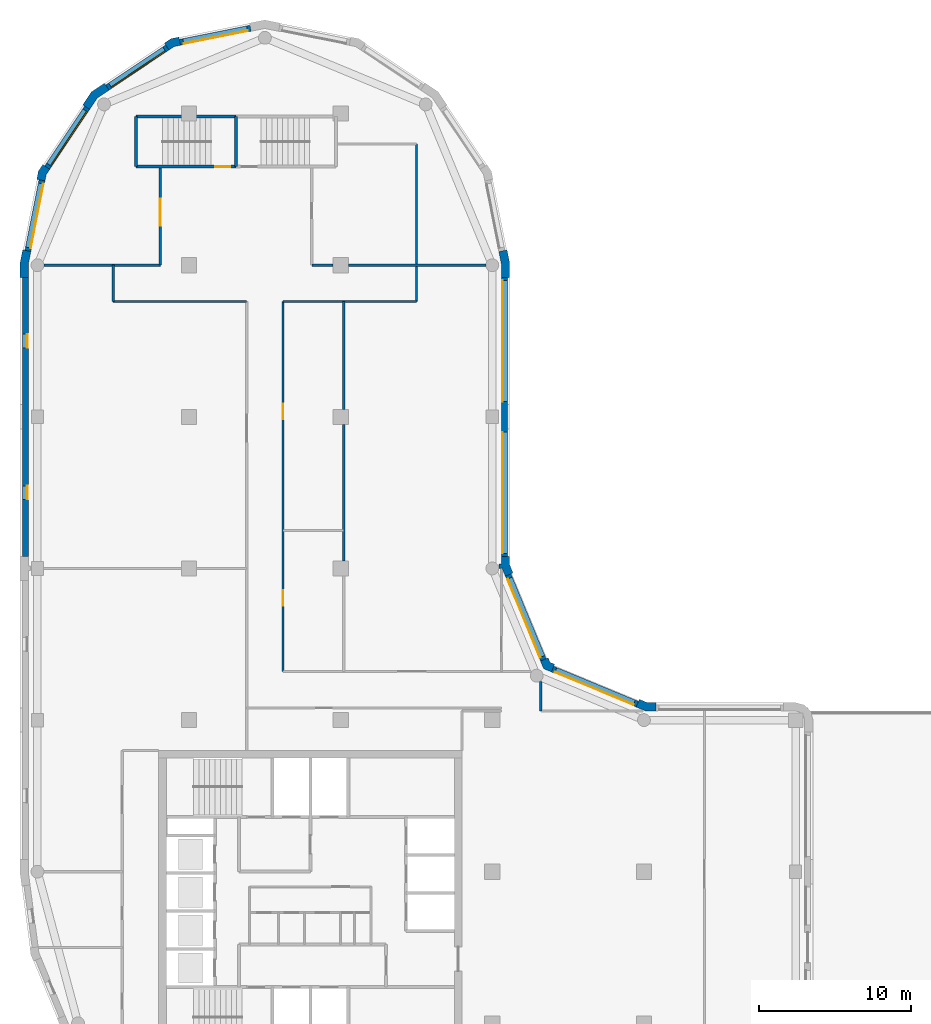
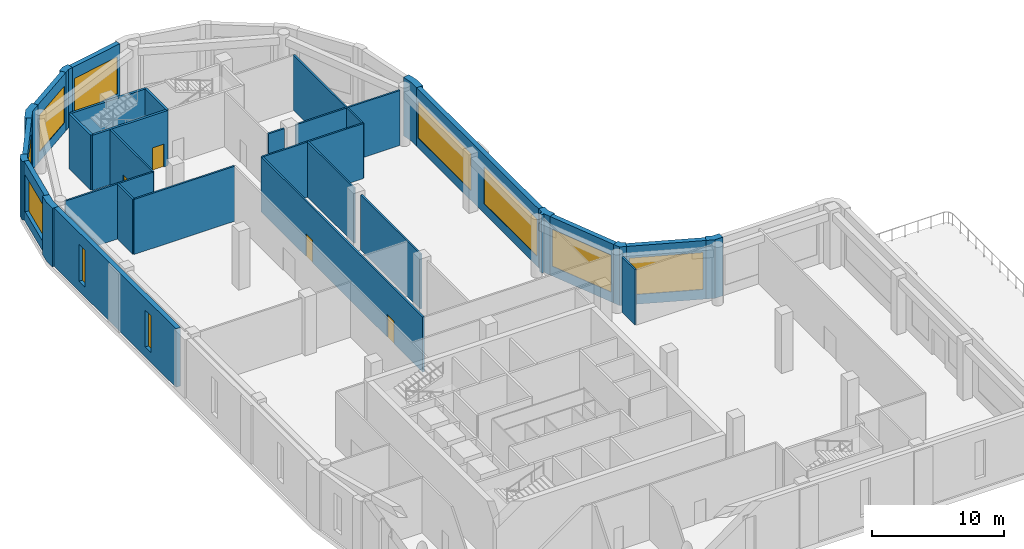
# One storey, part 5 of 9: 32 walls, 10 windows, 4 doors, 14 openings.
"""IFC4 building model written with IfcOpenShell, lengths in metres."""

from ifc_helpers import new_model, si_unit, direction, frame, frame_2d, origin, place, context, subcontext, project, spatial, polyline, rectangle, outline, extrude, material, layer, layer_set, type_object, element, fill, save


model = new_model("IFC4")

# Units and contexts
model_context = context("Model", 3, precision=1e-05, world=origin(), true_north=direction((0.0, 1.0)))
body_context = subcontext(model_context, "Body", "Model", "MODEL_VIEW")
ifc_project = project(units=[si_unit("LENGTHUNIT", "METRE"), si_unit("AREAUNIT", "SQUARE_METRE"), si_unit("VOLUMEUNIT", "CUBIC_METRE"), si_unit("PLANEANGLEUNIT", "RADIAN"), si_unit("MASSUNIT", "GRAM", prefix="KILO")], contexts=[model_context])

# Site, building, storey
site_placement = place(None, origin())
site = spatial("IfcSite", under=ifc_project, at=site_placement, CompositionType="ELEMENT")
building_placement = place(site_placement, origin())
building = spatial("IfcBuilding", under=site, at=building_placement, Name="Qaws Garden Tower", CompositionType="ELEMENT")
storey_placement = place(building_placement, frame((0.0, 0.0, 246.0)))
storey = spatial("IfcBuildingStorey", under=building, at=storey_placement, Name="L59", CompositionType="ELEMENT", Elevation=246.0)

# Wall, opening, window
ifc_material_1 = material(Name="Clay facing brick masonry", Category="masonry")
ifc_layer_1 = layer(ifc_material_1, 0.39990234375)
ifc_layer_set_1 = layer_set([ifc_layer_1], Name="Clay facing brick masonry")
wall_type_1 = type_object("IfcWallType", Name="Brick infill wall 400", PredefinedType="SOLIDWALL", material=ifc_layer_set_1)
wall_1_placement = place(storey_placement, frame((39.56689453125, 31.04541015625, 0.0), z_axis=(0.0, 0.0, 1.0), x_axis=(-0.923891000409, 0.382655745237, 0.0)))
wall_1 = element("IfcWall", 1, at=wall_1_placement, inside=storey, type_object=wall_type_1, Name="E-L59-infill-07", PredefinedType="SOLIDWALL", context=body_context, shape_type="SweptSolid", body=[
    extrude(rectangle(XDim=6.053466796875, YDim=0.39990234375, at=frame_2d((3.02685546875, 0.0))), origin(), (0.0, 0.0, 1.0), 5.39990234375),
])
opening_1_placement = place(wall_1_placement, frame((0.226806640625, 0.0, 0.89990234375)))
opening_1 = element("IfcOpeningElement", 2, at=opening_1_placement, cuts=wall_1, Name="Opening W05", PredefinedType="OPENING", context=body_context, shape_type="SweptSolid", body=[
    extrude(rectangle(XDim=5.60009765625, YDim=3.39990234375, at=frame_2d((2.800048828125, 1.699951171875))), frame((0.0, 0.2099609375, 0.0), z_axis=(0.0, -1.0, 0.0), x_axis=(1.0, 0.0, 0.0)), (0.0, 0.0, 1.0), 0.419921875),
])
ifc_material_2 = material(Name="Aluminium framed window, clear glazing", Category="aluminium")
window_type_1 = type_object("IfcWindowType", Name="Ribbon window 5600 x 3400", PartitioningType="DOUBLE_PANEL_VERTICAL", PredefinedType="WINDOW", material=ifc_material_2)
window_1_placement = place(opening_1_placement, origin())
window_1 = element("IfcWindow", 3, at=window_1_placement, inside=storey, type_object=window_type_1, Name="E-L59-window-07-0", OverallHeight=3.39990234375, OverallWidth=5.60009765625, PartitioningType="SINGLE_PANEL", PredefinedType="WINDOW", context=body_context, shape_type="SweptSolid", body=[
    extrude(rectangle(XDim=5.60009765625, YDim=3.39990234375, at=frame_2d((2.800048828125, 1.699951171875))), frame((0.0, 0.159912109375, 0.0), z_axis=(0.0, -1.0, 0.0), x_axis=(1.0, 0.0, 0.0)), (0.0, 0.0, 1.0), 0.06005859375),
])
fill(opening_1, window_1)

wall_2_placement = place(storey_placement, frame((33.36181640625, 33.97412109375, 0.0), z_axis=(0.0, 0.0, 1.0), x_axis=(-0.382655745237, 0.923891000409, 0.0)))
wall_2 = element("IfcWall", 4, at=wall_2_placement, inside=storey, type_object=wall_type_1, Name="E-L59-infill-08", PredefinedType="SOLIDWALL", context=body_context, shape_type="SweptSolid", body=[
    extrude(rectangle(XDim=6.053466796875, YDim=0.39990234375, at=frame_2d((3.02685546875, 0.0))), origin(), (0.0, 0.0, 1.0), 5.39990234375),
])
opening_2_placement = place(wall_2_placement, frame((0.226806640625, 0.0, 0.89990234375)))
opening_2 = element("IfcOpeningElement", 5, at=opening_2_placement, cuts=wall_2, Name="Opening W05", PredefinedType="OPENING", context=body_context, shape_type="SweptSolid", body=[
    extrude(rectangle(XDim=5.60009765625, YDim=3.39990234375, at=frame_2d((2.800048828125, 1.699951171875))), frame((0.0, 0.2099609375, 0.0), z_axis=(0.0, -1.0, 0.0), x_axis=(1.0, 0.0, 0.0)), (0.0, 0.0, 1.0), 0.419921875),
])
window_2_placement = place(opening_2_placement, origin())
window_2 = element("IfcWindow", 6, at=window_2_placement, inside=storey, type_object=window_type_1, Name="E-L59-window-08-0", OverallHeight=3.39990234375, OverallWidth=5.60009765625, PartitioningType="SINGLE_PANEL", PredefinedType="WINDOW", context=body_context, shape_type="SweptSolid", body=[
    extrude(rectangle(XDim=5.60009765625, YDim=3.39990234375, at=frame_2d((2.800048828125, 1.699951171875))), frame((0.0, 0.159912109375, 0.0), z_axis=(0.0, -1.0, 0.0), x_axis=(1.0, 0.0, 0.0)), (0.0, 0.0, 1.0), 0.06005859375),
])
fill(opening_2, window_2)

# Wall, openings, windows
wall_3_placement = place(storey_placement, frame((30.800048828125, 40.800048828125, 0.0), z_axis=(0.0, 0.0, 1.0), x_axis=(0.0, 1.0, 0.0)))
wall_3 = element("IfcWall", 7, at=wall_3_placement, inside=storey, type_object=wall_type_1, Name="E-L59-infill-09", PredefinedType="SOLIDWALL", context=body_context, shape_type="SweptSolid", body=[
    extrude(rectangle(XDim=18.39990234375, YDim=0.39990234375, at=frame_2d((9.199951171875, 0.0))), origin(), (0.0, 0.0, 1.0), 5.39990234375),
])
opening_3_placement = place(wall_3_placement, frame((0.199951171875, 0.0, 0.89990234375)))
opening_3 = element("IfcOpeningElement", 8, at=opening_3_placement, cuts=wall_3, Name="Opening W02", PredefinedType="OPENING", context=body_context, shape_type="SweptSolid", body=[
    extrude(rectangle(XDim=8.0, YDim=3.39990234375, at=frame_2d((4.0, 1.699951171875))), frame((0.0, 0.2099609375, 0.0), z_axis=(0.0, -1.0, 0.0), x_axis=(1.0, 0.0, 0.0)), (0.0, 0.0, 1.0), 0.419921875),
])
opening_4_placement = place(wall_3_placement, frame((10.199951171875, 0.0, 0.89990234375)))
opening_4 = element("IfcOpeningElement", 9, at=opening_4_placement, cuts=wall_3, Name="Opening W02", PredefinedType="OPENING", context=body_context, shape_type="SweptSolid", body=[
    extrude(rectangle(XDim=8.0, YDim=3.39990234375, at=frame_2d((4.0, 1.699951171875))), frame((0.0, 0.2099609375, 0.0), z_axis=(0.0, -1.0, 0.0), x_axis=(1.0, 0.0, 0.0)), (0.0, 0.0, 1.0), 0.419921875),
])
ifc_material_3 = material(Name="Aluminium framed window, clear glazing", Category="aluminium")
window_type_2 = type_object("IfcWindowType", Name="Ribbon window 8000 x 3400", PartitioningType="DOUBLE_PANEL_VERTICAL", PredefinedType="WINDOW", material=ifc_material_3)
window_3_placement = place(opening_3_placement, origin())
window_3 = element("IfcWindow", 10, at=window_3_placement, inside=storey, type_object=window_type_2, Name="E-L59-window-09-0", OverallHeight=3.39990234375, OverallWidth=8.0, PartitioningType="SINGLE_PANEL", PredefinedType="WINDOW", context=body_context, shape_type="SweptSolid", body=[
    extrude(rectangle(XDim=8.0, YDim=3.39990234375, at=frame_2d((4.0, 1.699951171875))), frame((0.0, 0.159912109375, 0.0), z_axis=(0.0, -1.0, 0.0), x_axis=(1.0, 0.0, 0.0)), (0.0, 0.0, 1.0), 0.06005859375),
])
fill(opening_3, window_3)
window_4_placement = place(opening_4_placement, origin())
window_4 = element("IfcWindow", 11, at=window_4_placement, inside=storey, type_object=window_type_2, Name="E-L59-window-10-0", OverallHeight=3.39990234375, OverallWidth=8.0, PartitioningType="SINGLE_PANEL", PredefinedType="WINDOW", context=body_context, shape_type="SweptSolid", body=[
    extrude(rectangle(XDim=8.0, YDim=3.39990234375, at=frame_2d((4.0, 1.699951171875))), frame((0.0, 0.159912109375, 0.0), z_axis=(0.0, -1.0, 0.0), x_axis=(1.0, 0.0, 0.0)), (0.0, 0.0, 1.0), 0.06005859375),
])
fill(opening_4, window_4)

# Wall, opening, window
wall_4_placement = place(storey_placement, frame((14.059326171875, 75.628662109375, 0.0), z_axis=(0.0, 0.0, 1.0), x_axis=(-0.98078364709, -0.195098533057, 0.0)))
wall_4 = element("IfcWall", 12, at=wall_4_placement, inside=storey, type_object=wall_type_1, Name="E-L59-infill-15", PredefinedType="SOLIDWALL", context=body_context, shape_type="SweptSolid", body=[
    extrude(rectangle(XDim=4.752685546875, YDim=0.39990234375, at=frame_2d((2.37646484375, 0.0))), origin(), (0.0, 0.0, 1.0), 5.39990234375),
])
opening_5_placement = place(wall_4_placement, frame((0.226318359375, 0.0, 0.89990234375)))
opening_5 = element("IfcOpeningElement", 13, at=opening_5_placement, cuts=wall_4, Name="Opening W07", PredefinedType="OPENING", context=body_context, shape_type="SweptSolid", body=[
    extrude(rectangle(XDim=4.300048828125, YDim=3.39990234375, at=frame_2d((2.14990234375, 1.699951171875))), frame((0.0, 0.2099609375, 0.0), z_axis=(0.0, -1.0, 0.0), x_axis=(1.0, 0.0, 0.0)), (0.0, 0.0, 1.0), 0.419921875),
])
ifc_material_4 = material(Name="Aluminium framed window, clear glazing", Category="aluminium")
window_type_3 = type_object("IfcWindowType", Name="Ribbon window 4300 x 3400", PartitioningType="DOUBLE_PANEL_VERTICAL", PredefinedType="WINDOW", material=ifc_material_4)
window_5_placement = place(opening_5_placement, origin())
window_5 = element("IfcWindow", 14, at=window_5_placement, inside=storey, type_object=window_type_3, Name="E-L59-window-15-0", OverallHeight=3.39990234375, OverallWidth=4.300048828125, PartitioningType="SINGLE_PANEL", PredefinedType="WINDOW", context=body_context, shape_type="SweptSolid", body=[
    extrude(rectangle(XDim=4.300048828125, YDim=3.39990234375, at=frame_2d((2.14990234375, 1.699951171875))), frame((0.0, 0.159912109375, 0.0), z_axis=(0.0, -1.0, 0.0), x_axis=(1.0, 0.0, 0.0)), (0.0, 0.0, 1.0), 0.06005859375),
])
fill(opening_5, window_5)

wall_5_placement = place(storey_placement, frame((8.56591796875, 74.356689453125, 0.0), z_axis=(0.0, 0.0, 1.0), x_axis=(-0.831488775454, -0.555541552266, 0.0)))
wall_5 = element("IfcWall", 15, at=wall_5_placement, inside=storey, type_object=wall_type_1, Name="E-L59-infill-16", PredefinedType="SOLIDWALL", context=body_context, shape_type="SweptSolid", body=[
    extrude(rectangle(XDim=4.752685546875, YDim=0.39990234375, at=frame_2d((2.37646484375, 0.0))), origin(), (0.0, 0.0, 1.0), 5.39990234375),
])
opening_6_placement = place(wall_5_placement, frame((0.226318359375, 0.0, 0.89990234375)))
opening_6 = element("IfcOpeningElement", 16, at=opening_6_placement, cuts=wall_5, Name="Opening W07", PredefinedType="OPENING", context=body_context, shape_type="SweptSolid", body=[
    extrude(rectangle(XDim=4.300048828125, YDim=3.39990234375, at=frame_2d((2.14990234375, 1.699951171875))), frame((0.0, 0.2099609375, 0.0), z_axis=(0.0, -1.0, 0.0), x_axis=(1.0, 0.0, 0.0)), (0.0, 0.0, 1.0), 0.419921875),
])
window_6_placement = place(opening_6_placement, origin())
window_6 = element("IfcWindow", 17, at=window_6_placement, inside=storey, type_object=window_type_3, Name="E-L59-window-16-0", OverallHeight=3.39990234375, OverallWidth=4.300048828125, PartitioningType="SINGLE_PANEL", PredefinedType="WINDOW", context=body_context, shape_type="SweptSolid", body=[
    extrude(rectangle(XDim=4.300048828125, YDim=3.39990234375, at=frame_2d((2.14990234375, 1.699951171875))), frame((0.0, 0.159912109375, 0.0), z_axis=(0.0, -1.0, 0.0), x_axis=(1.0, 0.0, 0.0)), (0.0, 0.0, 1.0), 0.06005859375),
])
fill(opening_6, window_6)

wall_6_placement = place(storey_placement, frame((3.28369140625, 70.385986328125, 0.0), z_axis=(0.0, 0.0, 1.0), x_axis=(-0.555541552266, -0.831488775454, 0.0)))
wall_6 = element("IfcWall", 18, at=wall_6_placement, inside=storey, type_object=wall_type_1, Name="E-L59-infill-17", PredefinedType="SOLIDWALL", context=body_context, shape_type="SweptSolid", body=[
    extrude(rectangle(XDim=4.752685546875, YDim=0.39990234375, at=frame_2d((2.37646484375, 0.0))), origin(), (0.0, 0.0, 1.0), 5.39990234375),
])
opening_7_placement = place(wall_6_placement, frame((0.226318359375, 0.0, 0.89990234375)))
opening_7 = element("IfcOpeningElement", 19, at=opening_7_placement, cuts=wall_6, Name="Opening W07", PredefinedType="OPENING", context=body_context, shape_type="SweptSolid", body=[
    extrude(rectangle(XDim=4.300048828125, YDim=3.39990234375, at=frame_2d((2.14990234375, 1.699951171875))), frame((0.0, 0.2099609375, 0.0), z_axis=(0.0, -1.0, 0.0), x_axis=(1.0, 0.0, 0.0)), (0.0, 0.0, 1.0), 0.419921875),
])
window_7_placement = place(opening_7_placement, origin())
window_7 = element("IfcWindow", 20, at=window_7_placement, inside=storey, type_object=window_type_3, Name="E-L59-window-17-0", OverallHeight=3.39990234375, OverallWidth=4.300048828125, PartitioningType="SINGLE_PANEL", PredefinedType="WINDOW", context=body_context, shape_type="SweptSolid", body=[
    extrude(rectangle(XDim=4.300048828125, YDim=3.39990234375, at=frame_2d((2.14990234375, 1.699951171875))), frame((0.0, 0.159912109375, 0.0), z_axis=(0.0, -1.0, 0.0), x_axis=(1.0, 0.0, 0.0)), (0.0, 0.0, 1.0), 0.06005859375),
])
fill(opening_7, window_7)

wall_7_placement = place(storey_placement, frame((0.298583984375, 65.60205078125, 0.0), z_axis=(0.0, 0.0, 1.0), x_axis=(-0.195098533057, -0.98078364709, 0.0)))
wall_7 = element("IfcWall", 21, at=wall_7_placement, inside=storey, type_object=wall_type_1, Name="E-L59-infill-18", PredefinedType="SOLIDWALL", context=body_context, shape_type="SweptSolid", body=[
    extrude(rectangle(XDim=4.752685546875, YDim=0.39990234375, at=frame_2d((2.37646484375, 0.0))), origin(), (0.0, 0.0, 1.0), 5.39990234375),
])
opening_8_placement = place(wall_7_placement, frame((0.226318359375, 0.0, 0.89990234375)))
opening_8 = element("IfcOpeningElement", 22, at=opening_8_placement, cuts=wall_7, Name="Opening W07", PredefinedType="OPENING", context=body_context, shape_type="SweptSolid", body=[
    extrude(rectangle(XDim=4.300048828125, YDim=3.39990234375, at=frame_2d((2.14990234375, 1.699951171875))), frame((0.0, 0.2099609375, 0.0), z_axis=(0.0, -1.0, 0.0), x_axis=(1.0, 0.0, 0.0)), (0.0, 0.0, 1.0), 0.419921875),
])
window_8_placement = place(opening_8_placement, origin())
window_8 = element("IfcWindow", 23, at=window_8_placement, inside=storey, type_object=window_type_3, Name="E-L59-window-18-0", OverallHeight=3.39990234375, OverallWidth=4.300048828125, PartitioningType="SINGLE_PANEL", PredefinedType="WINDOW", context=body_context, shape_type="SweptSolid", body=[
    extrude(rectangle(XDim=4.300048828125, YDim=3.39990234375, at=frame_2d((2.14990234375, 1.699951171875))), frame((0.0, 0.159912109375, 0.0), z_axis=(0.0, -1.0, 0.0), x_axis=(1.0, 0.0, 0.0)), (0.0, 0.0, 1.0), 0.06005859375),
])
fill(opening_8, window_8)

# Wall, openings, windows
wall_8_placement = place(storey_placement, frame((-0.800048828125, 59.199951171875, 0.0), z_axis=(0.0, 0.0, 1.0), x_axis=(0.0, -1.0, 0.0)))
wall_8 = element("IfcWall", 24, at=wall_8_placement, inside=storey, type_object=wall_type_1, Name="E-L59-infill-19", PredefinedType="SOLIDWALL", context=body_context, shape_type="SweptSolid", body=[
    extrude(rectangle(XDim=18.39990234375, YDim=0.39990234375, at=frame_2d((9.199951171875, 0.0))), origin(), (0.0, 0.0, 1.0), 5.39990234375),
])
opening_9_placement = place(wall_8_placement, frame((3.75, 0.0, 0.89990234375)))
opening_9 = element("IfcOpeningElement", 25, at=opening_9_placement, cuts=wall_8, Name="Opening W10", PredefinedType="OPENING", context=body_context, shape_type="SweptSolid", body=[
    extrude(rectangle(XDim=0.89990234375, YDim=3.39990234375, at=frame_2d((0.449951171875, 1.699951171875))), frame((0.0, 0.2099609375, 0.0), z_axis=(0.0, -1.0, 0.0), x_axis=(1.0, 0.0, 0.0)), (0.0, 0.0, 1.0), 0.419921875),
])
opening_10_placement = place(wall_8_placement, frame((13.75, 0.0, 0.89990234375)))
opening_10 = element("IfcOpeningElement", 26, at=opening_10_placement, cuts=wall_8, Name="Opening W10", PredefinedType="OPENING", context=body_context, shape_type="SweptSolid", body=[
    extrude(rectangle(XDim=0.89990234375, YDim=3.39990234375, at=frame_2d((0.449951171875, 1.699951171875))), frame((0.0, 0.2099609375, 0.0), z_axis=(0.0, -1.0, 0.0), x_axis=(1.0, 0.0, 0.0)), (0.0, 0.0, 1.0), 0.419921875),
])
ifc_material_5 = material(Name="Aluminium framed window, clear glazing", Category="aluminium")
window_type_4 = type_object("IfcWindowType", Name="Slit window 900 x 3400", PartitioningType="SINGLE_PANEL", PredefinedType="WINDOW", material=ifc_material_5)
window_9_placement = place(opening_9_placement, origin())
window_9 = element("IfcWindow", 27, at=window_9_placement, inside=storey, type_object=window_type_4, Name="E-L59-window-19-0", OverallHeight=3.39990234375, OverallWidth=0.89990234375, PartitioningType="SINGLE_PANEL", PredefinedType="WINDOW", context=body_context, shape_type="SweptSolid", body=[
    extrude(rectangle(XDim=0.89990234375, YDim=3.39990234375, at=frame_2d((0.449951171875, 1.699951171875))), frame((0.0, 0.159912109375, 0.0), z_axis=(0.0, -1.0, 0.0), x_axis=(1.0, 0.0, 0.0)), (0.0, 0.0, 1.0), 0.06005859375),
])
fill(opening_9, window_9)
window_10_placement = place(opening_10_placement, origin())
window_10 = element("IfcWindow", 28, at=window_10_placement, inside=storey, type_object=window_type_4, Name="E-L59-window-20-0", OverallHeight=3.39990234375, OverallWidth=0.89990234375, PartitioningType="SINGLE_PANEL", PredefinedType="WINDOW", context=body_context, shape_type="SweptSolid", body=[
    extrude(rectangle(XDim=0.89990234375, YDim=3.39990234375, at=frame_2d((0.449951171875, 1.699951171875))), frame((0.0, 0.159912109375, 0.0), z_axis=(0.0, -1.0, 0.0), x_axis=(1.0, 0.0, 0.0)), (0.0, 0.0, 1.0), 0.06005859375),
])
fill(opening_10, window_10)

# Walls
ifc_material_6 = material(Name="Clay facing brick masonry", Category="masonry")
ifc_layer_2 = layer(ifc_material_6, 0.550048828125)
ifc_layer_set_2 = layer_set([ifc_layer_2], Name="Clay facing brick masonry")
wall_type_2 = type_object("IfcWallType", Name="Brick kink pier 550 x 600", PredefinedType="SOLIDWALL", material=ifc_layer_set_2)
placement = place(storey_placement, origin())
element("IfcWall", 29, at=placement, inside=storey, type_object=wall_type_2, Name="E-L59-pier-16", PredefinedType="SOLIDWALL", context=body_context, shape_type="SweptSolid", body=[
    extrude(outline(polyline([(9.35888671875, 74.8974609375), (9.32958984375, 75.044677734375), (8.81103515625, 74.94140625), (8.371337890625, 74.647705078125), (8.454833984375, 74.52294921875), (8.677001953125, 74.1904296875), (9.025634765625, 74.42333984375), (9.43701171875, 74.505126953125), (9.35888671875, 74.8974609375)])), origin(), (0.0, 0.0, 1.0), 5.39990234375),
])
element("IfcWall", 30, at=placement, inside=storey, type_object=wall_type_2, Name="E-L59-pier-18", PredefinedType="SOLIDWALL", context=body_context, shape_type="SweptSolid", body=[
    extrude(outline(polyline([(0.47705078125, 66.545166015625), (0.352294921875, 66.628662109375), (0.05859375, 66.18896484375), (-0.044677734375, 65.67041015625), (0.1025390625, 65.64111328125), (0.494873046875, 65.56298828125), (0.57666015625, 65.974365234375), (0.8095703125, 66.322998046875), (0.47705078125, 66.545166015625)])), origin(), (0.0, 0.0, 1.0), 5.39990234375),
])
ifc_material_7 = material(Name="Clay facing brick masonry", Category="masonry")
ifc_layer_3 = layer(ifc_material_7, 0.550048828125)
ifc_layer_set_3 = layer_set([ifc_layer_3], Name="Clay facing brick masonry")
wall_type_3 = type_object("IfcWallType", Name="Brick pier 550 x 1600", PredefinedType="SOLIDWALL", material=ifc_layer_set_3)
element("IfcWall", 31, at=placement, inside=storey, type_object=wall_type_3, Name="E-L59-pier-07", PredefinedType="SOLIDWALL", context=body_context, shape_type="SweptSolid", body=[
    extrude(outline(polyline([(40.800048828125, 31.0), (40.800048828125, 31.14990234375), (40.228759765625, 31.14990234375), (39.700927734375, 31.36865234375), (39.6435546875, 31.22998046875), (39.490478515625, 30.860595703125), (40.119384765625, 30.60009765625), (40.800048828125, 30.60009765625), (40.800048828125, 31.0)])), origin(), (0.0, 0.0, 1.0), 5.39990234375),
])
element("IfcWall", 32, at=placement, inside=storey, type_object=wall_type_3, Name="E-L59-pier-08", PredefinedType="SOLIDWALL", context=body_context, shape_type="SweptSolid", body=[
    extrude(outline(polyline([(34.05078125, 33.546630859375), (34.108154296875, 33.685302734375), (33.80908203125, 33.80908203125), (33.685302734375, 34.108154296875), (33.546630859375, 34.05078125), (33.177001953125, 33.897705078125), (33.38818359375, 33.38818359375), (33.897705078125, 33.177001953125), (34.05078125, 33.546630859375)])), origin(), (0.0, 0.0, 1.0), 5.39990234375),
])
element("IfcWall", 33, at=placement, inside=storey, type_object=wall_type_3, Name="E-L59-pier-09", PredefinedType="SOLIDWALL", context=body_context, shape_type="SweptSolid", body=[
    extrude(outline(polyline([(30.6201171875, 39.995361328125), (30.6201171875, 40.071044921875), (30.860595703125, 39.490478515625), (31.22998046875, 39.6435546875), (31.36865234375, 39.700927734375), (31.14990234375, 40.228759765625), (31.14990234375, 40.800048828125), (31.0, 40.800048828125), (30.60009765625, 40.800048828125), (30.60009765625, 40.29541015625), (30.425048828125, 40.29541015625), (30.425048828125, 39.995361328125), (30.6201171875, 39.995361328125)])), origin(), (0.0, 0.0, 1.0), 5.39990234375),
])
element("IfcWall", 34, at=placement, inside=storey, type_object=wall_type_3, Name="E-L59-pier-11", PredefinedType="SOLIDWALL", context=body_context, shape_type="SweptSolid", body=[
    extrude(outline(polyline([(31.0, 59.199951171875), (31.14990234375, 59.199951171875), (31.14990234375, 60.11328125), (30.971923828125, 61.009033203125), (30.82470703125, 60.979736328125), (30.432373046875, 60.901611328125), (30.60009765625, 60.05908203125), (30.60009765625, 59.199951171875), (31.0, 59.199951171875)])), origin(), (0.0, 0.0, 1.0), 5.39990234375),
])
element("IfcWall", 35, at=placement, inside=storey, type_object=wall_type_3, Name="E-L59-pier-17", PredefinedType="SOLIDWALL", context=body_context, shape_type="SweptSolid", body=[
    extrude(outline(polyline([(4.5029296875, 71.882568359375), (4.419677734375, 72.00732421875), (3.564208984375, 71.435791015625), (2.99267578125, 70.580322265625), (3.117431640625, 70.4970703125), (3.449951171875, 70.274658203125), (3.9609375, 71.0390625), (4.725341796875, 71.550048828125), (4.5029296875, 71.882568359375)])), origin(), (0.0, 0.0, 1.0), 5.39990234375),
])
element("IfcWall", 36, at=placement, inside=storey, type_object=wall_type_3, Name="E-L59-pier-19", PredefinedType="SOLIDWALL", context=body_context, shape_type="SweptSolid", body=[
    extrude(outline(polyline([(-0.82470703125, 60.979736328125), (-0.971923828125, 61.009033203125), (-1.14990234375, 60.11328125), (-1.14990234375, 59.199951171875), (-1.0, 59.199951171875), (-0.60009765625, 59.199951171875), (-0.60009765625, 60.05908203125), (-0.432373046875, 60.901611328125), (-0.82470703125, 60.979736328125)])), origin(), (0.0, 0.0, 1.0), 5.39990234375),
])

# Wall, opening, door
ifc_material_8 = material(Name="Concrete C60", Category="concrete")
ifc_layer_4 = layer(ifc_material_8, 0.199951171875)
ifc_layer_set_4 = layer_set([ifc_layer_4], Name="Concrete C60")
wall_type_4 = type_object("IfcWallType", Name="Core shaft wall 200 C60", PredefinedType="SHEAR", material=ifc_layer_set_4)
wall_17_placement = place(storey_placement, frame((6.5, 66.5, 0.0), z_axis=(0.0, 0.0, 1.0), x_axis=(1.0, 0.0, 0.0)))
wall_17 = element("IfcWall", 37, at=wall_17_placement, inside=storey, type_object=wall_type_4, Name="Shaft wall", PredefinedType="SHEAR", context=body_context, shape_type="SweptSolid", body=[
    extrude(rectangle(XDim=6.60009765625, YDim=0.199951171875, at=frame_2d((3.300048828125, 0.0))), origin(), (0.0, 0.0, 1.0), 5.080078125),
])
opening_11_placement = place(wall_17_placement, frame((5.22509765625, 0.0, 0.0)))
opening_11 = element("IfcOpeningElement", 38, at=opening_11_placement, cuts=wall_17, Name="Opening SD15", PredefinedType="OPENING", context=body_context, shape_type="SweptSolid", body=[
    extrude(rectangle(XDim=1.0, YDim=2.10009765625, at=frame_2d((0.5, 1.050048828125))), frame((0.0, 0.10986328125, 0.0), z_axis=(0.0, -1.0, 0.0), x_axis=(1.0, 0.0, 0.0)), (0.0, 0.0, 1.0), 0.219970703125),
])
ifc_material_9 = material(Name="Steel S235", Category="steel")
door_type_1 = type_object("IfcDoorType", Name="Stair door 1000x2100", OperationType="SINGLE_SWING_RIGHT", PredefinedType="DOOR", material=ifc_material_9)
door_1_placement = place(opening_11_placement, origin())
door_1 = element("IfcDoor", 39, at=door_1_placement, inside=storey, type_object=door_type_1, Name="Stair 6 door", OperationType="SINGLE_SWING_RIGHT", OverallHeight=2.10009765625, OverallWidth=1.0, PredefinedType="DOOR", context=body_context, shape_type="SweptSolid", body=[
    extrude(rectangle(XDim=1.0, YDim=2.10009765625, at=frame_2d((0.5, 1.050048828125))), frame((0.0, 0.02490234375, 0.0), z_axis=(0.0, -1.0, 0.0), x_axis=(1.0, 0.0, 0.0)), (0.0, 0.0, 1.0), 0.050048828125),
])
fill(opening_11, door_1)

# Walls
wall_18_placement = place(storey_placement, frame((6.5, 69.800048828125, 0.0), z_axis=(0.0, 0.0, 1.0), x_axis=(1.0, 0.0, 0.0)))
element("IfcWall", 40, at=wall_18_placement, inside=storey, type_object=wall_type_4, Name="Shaft wall", PredefinedType="SHEAR", context=body_context, shape_type="SweptSolid", body=[
    extrude(rectangle(XDim=6.60009765625, YDim=0.199951171875, at=frame_2d((3.300048828125, 0.0))), origin(), (0.0, 0.0, 1.0), 5.080078125),
])
for number, where, z_axis, x_axis, name in (
    (41, (6.5, 66.5, 0.0), (0.0, 0.0, 1.0), (0.0, 1.0, 0.0), "Shaft wall"),
    (42, (13.10009765625, 66.5, 0.0), (0.0, 0.0, 1.0), (0.0, 1.0, 0.0), "Shaft wall"),
):
    element("IfcWall", number, at=place(storey_placement, frame(where, z_axis=z_axis, x_axis=x_axis)), inside=storey, type_object=wall_type_4, Name=name, PredefinedType="SHEAR", context=body_context, shape_type="SweptSolid", body=[
        extrude(rectangle(XDim=3.300048828125, YDim=0.199951171875, at=frame_2d((1.64990234375, 0.0))), origin(), (0.0, 0.0, 1.0), 5.080078125),
    ])
ifc_material_10 = material(Name="Gypsum board partition")
ifc_layer_5 = layer(ifc_material_10, 0.14990234375)
ifc_layer_set_5 = layer_set([ifc_layer_5], Name="Gypsum board partition")
wall_type_5 = type_object("IfcWallType", Name="PARTITION 150 EI 60", PredefinedType="PARTITIONING", material=ifc_layer_set_5)
wall_19_placement = place(storey_placement, frame((5.0, 57.60009765625, 0.0), z_axis=(0.0, 0.0, 1.0), x_axis=(0.0, 1.0, 0.0)))
element("IfcWall", 43, at=wall_19_placement, inside=storey, type_object=wall_type_5, Name="O-L59-wall-002", PredefinedType="PARTITIONING", context=body_context, shape_type="SweptSolid", body=[
    extrude(rectangle(XDim=2.39990234375, YDim=0.14990234375, at=frame_2d((1.199951171875, 0.0))), origin(), (0.0, 0.0, 1.0), 5.080078125),
])

# Wall, opening, door
wall_20_placement = place(storey_placement, frame((8.10009765625, 60.0, 0.0), z_axis=(0.0, 0.0, 1.0), x_axis=(0.0, 1.0, 0.0)))
wall_20 = element("IfcWall", 44, at=wall_20_placement, inside=storey, type_object=wall_type_5, Name="O-L59-wall-004", PredefinedType="PARTITIONING", context=body_context, shape_type="SweptSolid", body=[
    extrude(rectangle(XDim=6.39990234375, YDim=0.14990234375, at=frame_2d((3.199951171875, 0.0))), origin(), (0.0, 0.0, 1.0), 5.080078125),
])
opening_12_placement = place(wall_20_placement, frame((2.60009765625, 0.0, 0.0)))
opening_12 = element("IfcOpeningElement", 45, at=opening_12_placement, cuts=wall_20, Name="Opening S204", PredefinedType="OPENING", context=body_context, shape_type="SweptSolid", body=[
    extrude(rectangle(XDim=1.800048828125, YDim=2.10009765625, at=frame_2d((0.89990234375, 1.050048828125))), frame((0.0, 0.0849609375, 0.0), z_axis=(0.0, -1.0, 0.0), x_axis=(1.0, 0.0, 0.0)), (0.0, 0.0, 1.0), 0.169921875),
])
ifc_material_11 = material(Name="Timber door leaf", Category="wood")
door_type_2 = type_object("IfcDoorType", Name="DOUBLE DOOR 1800 X 2100", OperationType="DOUBLE_DOOR_SINGLE_SWING", PredefinedType="DOOR", material=ifc_material_11)
door_2_placement = place(opening_12_placement, origin())
door_2 = element("IfcDoor", 46, at=door_2_placement, inside=storey, type_object=door_type_2, Name="O-L59-door-004", OperationType="DOUBLE_DOOR_SINGLE_SWING", OverallHeight=2.10009765625, OverallWidth=1.800048828125, PredefinedType="DOOR", context=body_context, shape_type="SweptSolid", body=[
    extrude(rectangle(XDim=1.800048828125, YDim=2.10009765625, at=frame_2d((0.89990234375, 1.050048828125))), frame((0.0, 0.02490234375, 0.0), z_axis=(0.0, -1.0, 0.0), x_axis=(1.0, 0.0, 0.0)), (0.0, 0.0, 1.0), 0.050048828125),
])
fill(opening_12, door_2)

# Wall, openings, doors
wall_21_placement = place(storey_placement, frame((16.199951171875, 33.199951171875, 0.0), z_axis=(0.0, 0.0, 1.0), x_axis=(0.0, 1.0, 0.0)))
wall_21 = element("IfcWall", 47, at=wall_21_placement, inside=storey, type_object=wall_type_5, Name="O-L59-wall-007", PredefinedType="PARTITIONING", context=body_context, shape_type="SweptSolid", body=[
    extrude(rectangle(XDim=24.400146484375, YDim=0.14990234375, at=frame_2d((12.2001953125, 0.0))), origin(), (0.0, 0.0, 1.0), 5.080078125),
])
opening_13_placement = place(wall_21_placement, frame((4.35009765625, 0.0, 0.0)))
opening_13 = element("IfcOpeningElement", 48, at=opening_13_placement, cuts=wall_21, Name="Opening S213", PredefinedType="OPENING", context=body_context, shape_type="SweptSolid", body=[
    extrude(rectangle(XDim=1.0, YDim=2.10009765625, at=frame_2d((0.5, 1.050048828125))), frame((0.0, 0.0849609375, 0.0), z_axis=(0.0, -1.0, 0.0), x_axis=(1.0, 0.0, 0.0)), (0.0, 0.0, 1.0), 0.169921875),
])
opening_14_placement = place(wall_21_placement, frame((16.64990234375, 0.0, 0.0)))
opening_14 = element("IfcOpeningElement", 49, at=opening_14_placement, cuts=wall_21, Name="Opening S214", PredefinedType="OPENING", context=body_context, shape_type="SweptSolid", body=[
    extrude(rectangle(XDim=1.0, YDim=2.10009765625, at=frame_2d((0.5, 1.050048828125))), frame((0.0, 0.0849609375, 0.0), z_axis=(0.0, -1.0, 0.0), x_axis=(1.0, 0.0, 0.0)), (0.0, 0.0, 1.0), 0.169921875),
])
ifc_material_12 = material(Name="Timber door leaf", Category="wood")
door_type_3 = type_object("IfcDoorType", Name="TENANCY ENTRANCE DOOR 1000 X 2100", OperationType="SINGLE_SWING_LEFT", PredefinedType="DOOR", material=ifc_material_12)
door_3_placement = place(opening_13_placement, frame((1.0, 0.0, 0.0), z_axis=(0.0, 0.0, 1.0), x_axis=(-1.0, 0.0, 0.0)))
door_3 = element("IfcDoor", 50, at=door_3_placement, inside=storey, type_object=door_type_3, Name="O-L59-door-013", OperationType="SINGLE_SWING_RIGHT", OverallHeight=2.10009765625, OverallWidth=1.0, PredefinedType="DOOR", context=body_context, shape_type="SweptSolid", body=[
    extrude(rectangle(XDim=1.0, YDim=2.10009765625, at=frame_2d((0.5, 1.050048828125))), frame((0.0, 0.02490234375, 0.0), z_axis=(0.0, -1.0, 0.0), x_axis=(1.0, 0.0, 0.0)), (0.0, 0.0, 1.0), 0.050048828125),
])
fill(opening_13, door_3)
door_4_placement = place(opening_14_placement, frame((1.0, 0.0, 0.0), z_axis=(0.0, 0.0, 1.0), x_axis=(-1.0, 0.0, 0.0)))
door_4 = element("IfcDoor", 51, at=door_4_placement, inside=storey, type_object=door_type_3, Name="O-L59-door-014", OperationType="SINGLE_SWING_RIGHT", OverallHeight=2.10009765625, OverallWidth=1.0, PredefinedType="DOOR", context=body_context, shape_type="SweptSolid", body=[
    extrude(rectangle(XDim=1.0, YDim=2.10009765625, at=frame_2d((0.5, 1.050048828125))), frame((0.0, 0.02490234375, 0.0), z_axis=(0.0, -1.0, 0.0), x_axis=(1.0, 0.0, 0.0)), (0.0, 0.0, 1.0), 0.050048828125),
])
fill(opening_14, door_4)

# Walls
wall_22_placement = place(storey_placement, frame((20.199951171875, 40.5, 0.0), z_axis=(0.0, 0.0, 1.0), x_axis=(0.0, 1.0, 0.0)))
element("IfcWall", 52, at=wall_22_placement, inside=storey, type_object=wall_type_5, Name="O-L59-wall-011", PredefinedType="PARTITIONING", context=body_context, shape_type="SweptSolid", body=[
    extrude(rectangle(XDim=9.0, YDim=0.14990234375, at=frame_2d((4.5, 0.0))), origin(), (0.0, 0.0, 1.0), 5.080078125),
])
wall_23_placement = place(storey_placement, frame((20.199951171875, 50.5, 0.0), z_axis=(0.0, 0.0, 1.0), x_axis=(0.0, 1.0, 0.0)))
element("IfcWall", 53, at=wall_23_placement, inside=storey, type_object=wall_type_5, Name="O-L59-wall-012", PredefinedType="PARTITIONING", context=body_context, shape_type="SweptSolid", body=[
    extrude(rectangle(XDim=7.10009765625, YDim=0.14990234375, at=frame_2d((3.550048828125, 0.0))), origin(), (0.0, 0.0, 1.0), 5.080078125),
])
wall_24_placement = place(storey_placement, frame((25.0, 57.60009765625, 0.0), z_axis=(0.0, 0.0, 1.0), x_axis=(0.0, 1.0, 0.0)))
element("IfcWall", 54, at=wall_24_placement, inside=storey, type_object=wall_type_5, Name="O-L59-wall-013", PredefinedType="PARTITIONING", context=body_context, shape_type="SweptSolid", body=[
    extrude(rectangle(XDim=10.39990234375, YDim=0.14990234375, at=frame_2d((5.199951171875, 0.0))), origin(), (0.0, 0.0, 1.0), 5.080078125),
])
wall_25_placement = place(storey_placement, frame((33.199951171875, 30.60009765625, 0.0), z_axis=(0.0, 0.0, 1.0), x_axis=(0.0, 1.0, 0.0)))
element("IfcWall", 55, at=wall_25_placement, inside=storey, type_object=wall_type_5, Name="O-L59-wall-016", PredefinedType="PARTITIONING", context=body_context, shape_type="SweptSolid", body=[
    extrude(rectangle(XDim=1.951904296875, YDim=0.14990234375, at=frame_2d((0.97607421875, 0.0))), origin(), (0.0, 0.0, 1.0), 5.080078125),
])
for number, where, z_axis, x_axis, name in (
    (56, (5.0, 57.60009765625, 0.0), (0.0, 0.0, 1.0), (1.0, 0.0, 0.0), "O-L59-wall-032"),
    (57, (16.199951171875, 57.60009765625, 0.0), (0.0, 0.0, 1.0), (1.0, 0.0, 0.0), "O-L59-wall-033"),
):
    element("IfcWall", number, at=place(storey_placement, frame(where, z_axis=z_axis, x_axis=x_axis)), inside=storey, type_object=wall_type_5, Name=name, PredefinedType="PARTITIONING", context=body_context, shape_type="SweptSolid", body=[
        extrude(rectangle(XDim=8.800048828125, YDim=0.14990234375, at=frame_2d((4.39990234375, 0.0))), origin(), (0.0, 0.0, 1.0), 5.080078125),
    ])
wall_26_placement = place(storey_placement, frame((0.425048828125, 60.0, 0.0), z_axis=(0.0, 0.0, 1.0), x_axis=(1.0, 0.0, 0.0)))
element("IfcWall", 58, at=wall_26_placement, inside=storey, type_object=wall_type_5, Name="O-L59-wall-034", PredefinedType="PARTITIONING", context=body_context, shape_type="SweptSolid", body=[
    extrude(rectangle(XDim=7.675048828125, YDim=0.14990234375, at=frame_2d((3.83740234375, 0.0))), origin(), (0.0, 0.0, 1.0), 5.080078125),
])
wall_27_placement = place(storey_placement, frame((18.10009765625, 60.0, 0.0), z_axis=(0.0, 0.0, 1.0), x_axis=(1.0, 0.0, 0.0)))
element("IfcWall", 59, at=wall_27_placement, inside=storey, type_object=wall_type_5, Name="O-L59-wall-035", PredefinedType="PARTITIONING", context=body_context, shape_type="SweptSolid", body=[
    extrude(rectangle(XDim=1.39990234375, YDim=0.14990234375, at=frame_2d((0.699951171875, 0.0))), origin(), (0.0, 0.0, 1.0), 5.080078125),
])
wall_28_placement = place(storey_placement, frame((20.5, 60.0, 0.0), z_axis=(0.0, 0.0, 1.0), x_axis=(1.0, 0.0, 0.0)))
element("IfcWall", 60, at=wall_28_placement, inside=storey, type_object=wall_type_5, Name="O-L59-wall-036", PredefinedType="PARTITIONING", context=body_context, shape_type="SweptSolid", body=[
    extrude(rectangle(XDim=9.074951171875, YDim=0.14990234375, at=frame_2d((4.53759765625, 0.0))), origin(), (0.0, 0.0, 1.0), 5.080078125),
])

save(model, "model.ifc")
